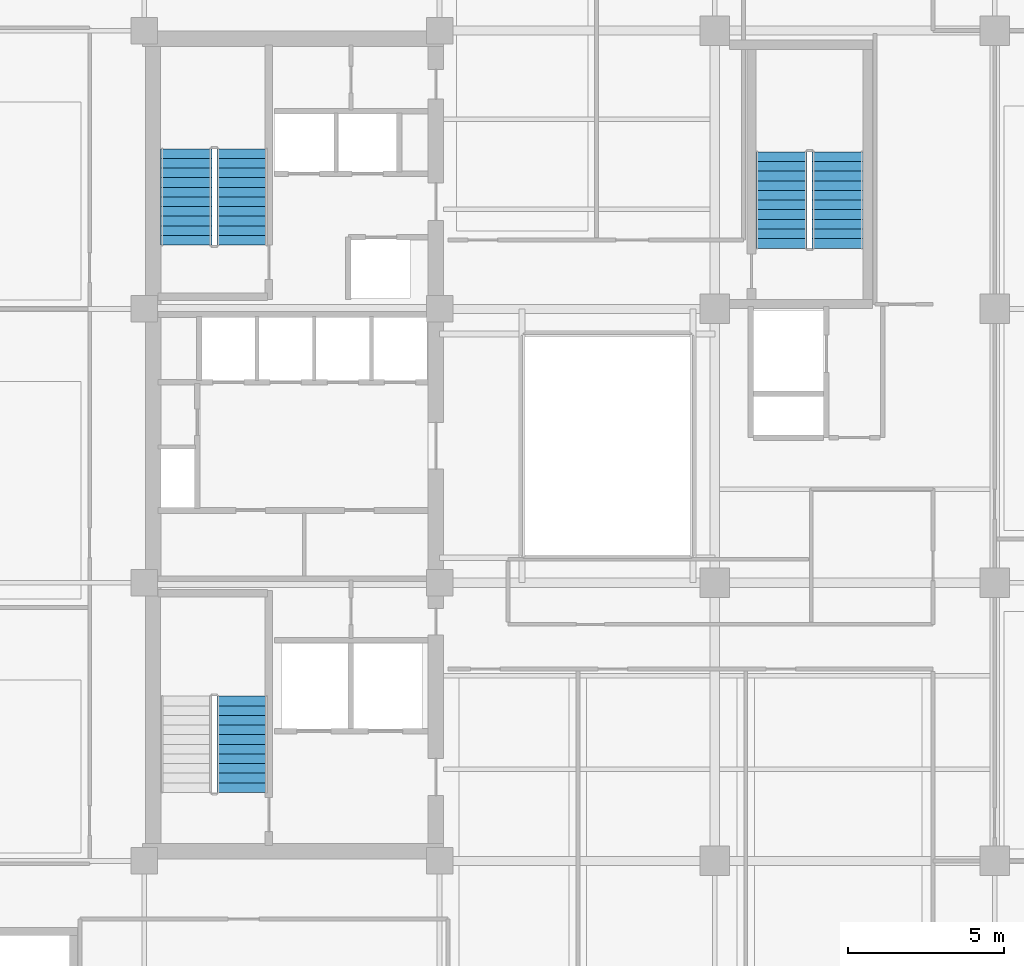
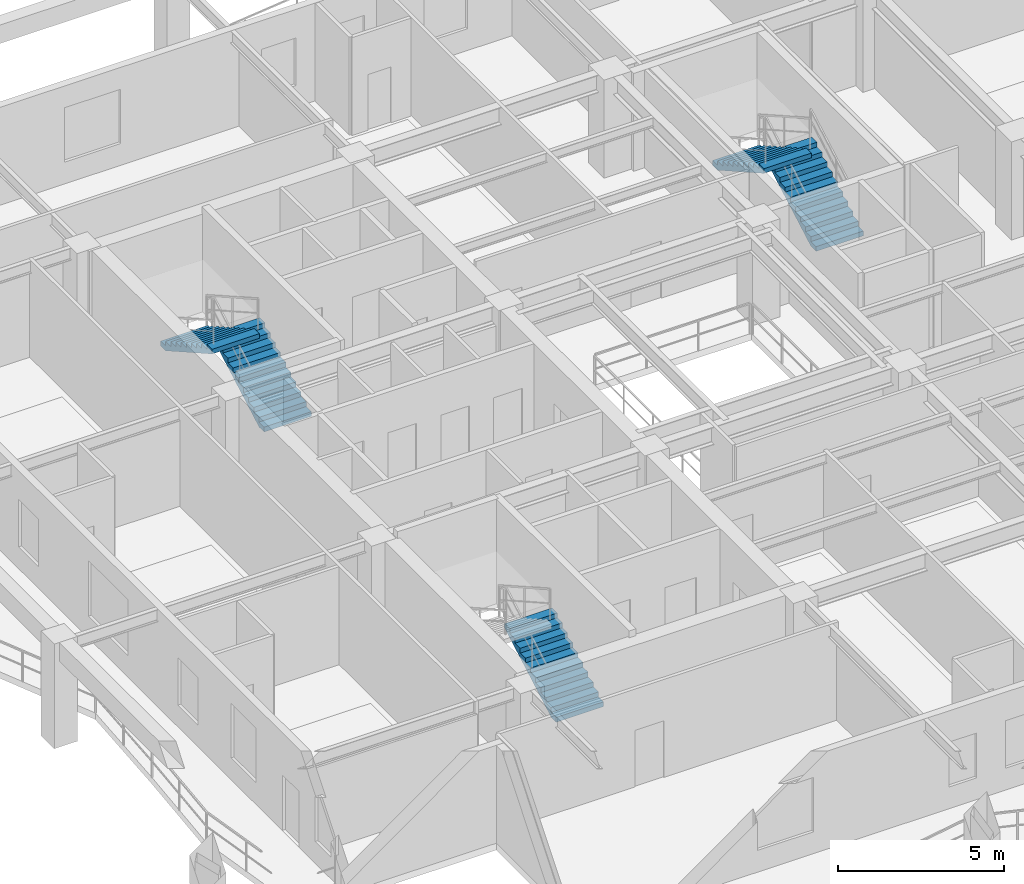
# One storey, part 7 of 13: 5 stair flights, 3 elements without a shape of their own.
"""IFC4 building model written with IfcOpenShell, lengths in metres."""

from ifc_helpers import new_model, si_unit, direction, frame, origin, place, context, subcontext, project, spatial, polyline, outline, extrude, material, type_object, element, aggregate, save


model = new_model("IFC4")

# Units and contexts
model_context = context("Model", 3, precision=1e-05, world=origin(), true_north=direction((0.0, 1.0)))
body_context = subcontext(model_context, "Body", "Model", "MODEL_VIEW")
ifc_project = project(units=[si_unit("LENGTHUNIT", "METRE"), si_unit("AREAUNIT", "SQUARE_METRE"), si_unit("VOLUMEUNIT", "CUBIC_METRE"), si_unit("PLANEANGLEUNIT", "RADIAN"), si_unit("MASSUNIT", "GRAM", prefix="KILO")], contexts=[model_context])

# Site, building, storey
site_placement = place(None, origin())
site = spatial("IfcSite", under=ifc_project, at=site_placement, CompositionType="ELEMENT")
building_placement = place(site_placement, origin())
building = spatial("IfcBuilding", under=site, at=building_placement, Name="Kundavana Baori Tower", CompositionType="ELEMENT")
storey_placement = place(building_placement, frame((0.0, 0.0, 177.14990234375)))
storey = spatial("IfcBuildingStorey", under=building, at=storey_placement, Name="L43", CompositionType="ELEMENT", Elevation=177.14990234375)

# Stair, stair flight
ifc_material_1 = material(Name="Concrete C40/50", Category="concrete")
stair_type = type_object("IfcStairType", Name="STR-DOG-1650", PredefinedType="HALF_TURN_STAIR", material=ifc_material_1)
stair_1_placement = place(storey_placement, origin())
stair_1 = element("IfcStair", 1, at=stair_1_placement, inside=storey, type_object=stair_type, Name="L43 Protected Exit Stair ST1", PredefinedType="HALF_TURN_STAIR")
ifc_material_2 = material(Name="Concrete C40/50", Category="concrete")
stair_flight_type = type_object("IfcStairFlightType", Name="SFL-RC-1650", PredefinedType="STRAIGHT", material=ifc_material_2)
stair_flight_1_placement = place(storey_placement, frame((18.614990234375, 17.449951171875, 0.0), z_axis=(0.0, 0.0, 1.0), x_axis=(0.0, 1.0, 0.0)))
stair_flight_1 = element("IfcStairFlight", 2, at=stair_flight_1_placement, type_object=stair_flight_type, Name="ST1 flight 1", NumberOfRisers=11, NumberOfTreads=10, PredefinedType="STRAIGHT", RiserHeight=0.175, TreadLength=0.31, context=body_context, shape_type="SweptSolid", body=[
    extrude(outline(polyline([(0.0, 0.0), (0.0, 0.175048828125), (0.31005859375, 0.175048828125), (0.31005859375, 0.35009765625), (0.6201171875, 0.35009765625), (0.6201171875, 0.52490234375), (0.929931640625, 0.52490234375), (0.929931640625, 0.699951171875), (1.239990234375, 0.699951171875), (1.239990234375, 0.875), (1.550048828125, 0.875), (1.550048828125, 1.050048828125), (1.860107421875, 1.050048828125), (1.860107421875, 1.22509765625), (2.169921875, 1.22509765625), (2.169921875, 1.39990234375), (2.47998046875, 1.39990234375), (2.47998046875, 1.574951171875), (2.7900390625, 1.574951171875), (2.7900390625, 1.75), (3.10009765625, 1.75), (3.10009765625, 1.925048828125), (3.10009765625, 1.577880859375), (0.304931640625, 0.0), (0.0, 0.0)])), frame((0.0, 0.824951171875, 0.0), z_axis=(0.0, -1.0, 0.0), x_axis=(1.0, 0.0, 0.0)), (0.0, 0.0, 1.0), 1.64990234375),
])
aggregate(stair_1, [stair_flight_1])

# Stair, stair flights
stair_2_placement = place(storey_placement, origin())
stair_2 = element("IfcStair", 3, at=stair_2_placement, inside=storey, type_object=stair_type, Name="L43 Protected Exit Stair ST2", PredefinedType="HALF_TURN_STAIR")
stair_flight_2_placement = place(storey_placement, frame((18.614990234375, 35.050048828125, 0.0), z_axis=(0.0, 0.0, 1.0), x_axis=(0.0, 1.0, 0.0)))
stair_flight_2 = element("IfcStairFlight", 4, at=stair_flight_2_placement, type_object=stair_flight_type, Name="ST2 flight 1", NumberOfRisers=11, NumberOfTreads=10, PredefinedType="STRAIGHT", RiserHeight=0.175, TreadLength=0.31, context=body_context, shape_type="SweptSolid", body=[
    extrude(outline(polyline([(0.0, 0.0), (0.0, 0.175048828125), (0.31005859375, 0.175048828125), (0.31005859375, 0.35009765625), (0.6201171875, 0.35009765625), (0.6201171875, 0.52490234375), (0.929931640625, 0.52490234375), (0.929931640625, 0.699951171875), (1.239990234375, 0.699951171875), (1.239990234375, 0.875), (1.550048828125, 0.875), (1.550048828125, 1.050048828125), (1.860107421875, 1.050048828125), (1.860107421875, 1.22509765625), (2.169921875, 1.22509765625), (2.169921875, 1.39990234375), (2.47998046875, 1.39990234375), (2.47998046875, 1.574951171875), (2.7900390625, 1.574951171875), (2.7900390625, 1.75), (3.10009765625, 1.75), (3.10009765625, 1.925048828125), (3.10009765625, 1.577880859375), (0.304931640625, 0.0), (0.0, 0.0)])), frame((0.0, 0.824951171875, 0.0), z_axis=(0.0, -1.0, 0.0), x_axis=(1.0, 0.0, 0.0)), (0.0, 0.0, 1.0), 1.64990234375),
])
stair_flight_3_placement = place(storey_placement, frame((16.804931640625, 38.14990234375, 1.925048828125), z_axis=(0.0, 0.0, 1.0), x_axis=(0.0, -1.0, 0.0)))
stair_flight_3 = element("IfcStairFlight", 5, at=stair_flight_3_placement, type_object=stair_flight_type, Name="ST2 flight 2", NumberOfRisers=11, NumberOfTreads=10, PredefinedType="STRAIGHT", RiserHeight=0.175, TreadLength=0.31, context=body_context, shape_type="SweptSolid", body=[
    extrude(outline(polyline([(0.0, 0.0), (0.0, 0.175048828125), (0.31005859375, 0.175048828125), (0.31005859375, 0.35009765625), (0.6201171875, 0.35009765625), (0.6201171875, 0.52490234375), (0.929931640625, 0.52490234375), (0.929931640625, 0.699951171875), (1.239990234375, 0.699951171875), (1.239990234375, 0.875), (1.550048828125, 0.875), (1.550048828125, 1.050048828125), (1.860107421875, 1.050048828125), (1.860107421875, 1.22509765625), (2.169921875, 1.22509765625), (2.169921875, 1.39990234375), (2.47998046875, 1.39990234375), (2.47998046875, 1.574951171875), (2.7900390625, 1.574951171875), (2.7900390625, 1.75), (3.10009765625, 1.75), (3.10009765625, 1.925048828125), (3.10009765625, 1.577880859375), (0.304931640625, 0.0), (0.0, 0.0)])), frame((0.0, 0.824951171875, 0.0), z_axis=(0.0, -1.0, 0.0), x_axis=(1.0, 0.0, 0.0)), (0.0, 0.0, 1.0), 1.64990234375),
])
aggregate(stair_2, [stair_flight_2, stair_flight_3])

stair_3_placement = place(storey_placement, origin())
stair_3 = element("IfcStair", 6, at=stair_3_placement, inside=storey, type_object=stair_type, Name="L43 Protected Exit Stair ST3", PredefinedType="HALF_TURN_STAIR")
stair_flight_4_placement = place(storey_placement, frame((37.7548828125, 34.949951171875, 0.0), z_axis=(0.0, 0.0, 1.0), x_axis=(0.0, 1.0, 0.0)))
stair_flight_4 = element("IfcStairFlight", 7, at=stair_flight_4_placement, type_object=stair_flight_type, Name="ST3 flight 1", NumberOfRisers=11, NumberOfTreads=10, PredefinedType="STRAIGHT", RiserHeight=0.175, TreadLength=0.31, context=body_context, shape_type="SweptSolid", body=[
    extrude(outline(polyline([(0.0, 0.0), (0.0, 0.175048828125), (0.31005859375, 0.175048828125), (0.31005859375, 0.35009765625), (0.6201171875, 0.35009765625), (0.6201171875, 0.52490234375), (0.929931640625, 0.52490234375), (0.929931640625, 0.699951171875), (1.239990234375, 0.699951171875), (1.239990234375, 0.875), (1.550048828125, 0.875), (1.550048828125, 1.050048828125), (1.860107421875, 1.050048828125), (1.860107421875, 1.22509765625), (2.169921875, 1.22509765625), (2.169921875, 1.39990234375), (2.47998046875, 1.39990234375), (2.47998046875, 1.574951171875), (2.7900390625, 1.574951171875), (2.7900390625, 1.75), (3.10009765625, 1.75), (3.10009765625, 1.925048828125), (3.10009765625, 1.577880859375), (0.304931640625, 0.0), (0.0, 0.0)])), frame((0.0, 0.824951171875, 0.0), z_axis=(0.0, -1.0, 0.0), x_axis=(1.0, 0.0, 0.0)), (0.0, 0.0, 1.0), 1.64990234375),
])
stair_flight_5_placement = place(storey_placement, frame((35.945068359375, 38.050048828125, 1.925048828125), z_axis=(0.0, 0.0, 1.0), x_axis=(0.0, -1.0, 0.0)))
stair_flight_5 = element("IfcStairFlight", 8, at=stair_flight_5_placement, type_object=stair_flight_type, Name="ST3 flight 2", NumberOfRisers=11, NumberOfTreads=10, PredefinedType="STRAIGHT", RiserHeight=0.175, TreadLength=0.31, context=body_context, shape_type="SweptSolid", body=[
    extrude(outline(polyline([(0.0, 0.0), (0.0, 0.175048828125), (0.31005859375, 0.175048828125), (0.31005859375, 0.35009765625), (0.6201171875, 0.35009765625), (0.6201171875, 0.52490234375), (0.929931640625, 0.52490234375), (0.929931640625, 0.699951171875), (1.239990234375, 0.699951171875), (1.239990234375, 0.875), (1.550048828125, 0.875), (1.550048828125, 1.050048828125), (1.860107421875, 1.050048828125), (1.860107421875, 1.22509765625), (2.169921875, 1.22509765625), (2.169921875, 1.39990234375), (2.47998046875, 1.39990234375), (2.47998046875, 1.574951171875), (2.7900390625, 1.574951171875), (2.7900390625, 1.75), (3.10009765625, 1.75), (3.10009765625, 1.925048828125), (3.10009765625, 1.577880859375), (0.304931640625, 0.0), (0.0, 0.0)])), frame((0.0, 0.824951171875, 0.0), z_axis=(0.0, -1.0, 0.0), x_axis=(1.0, 0.0, 0.0)), (0.0, 0.0, 1.0), 1.64990234375),
])
aggregate(stair_3, [stair_flight_4, stair_flight_5])

save(model, "model.ifc")
